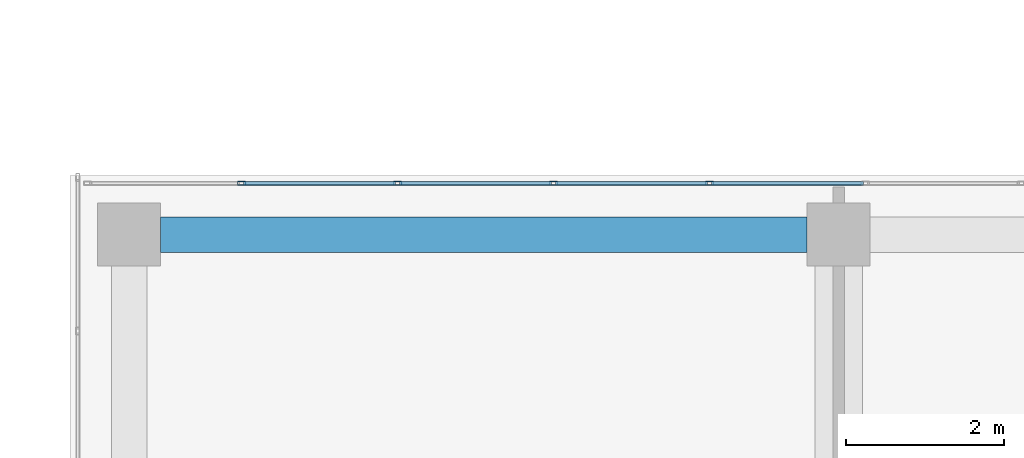
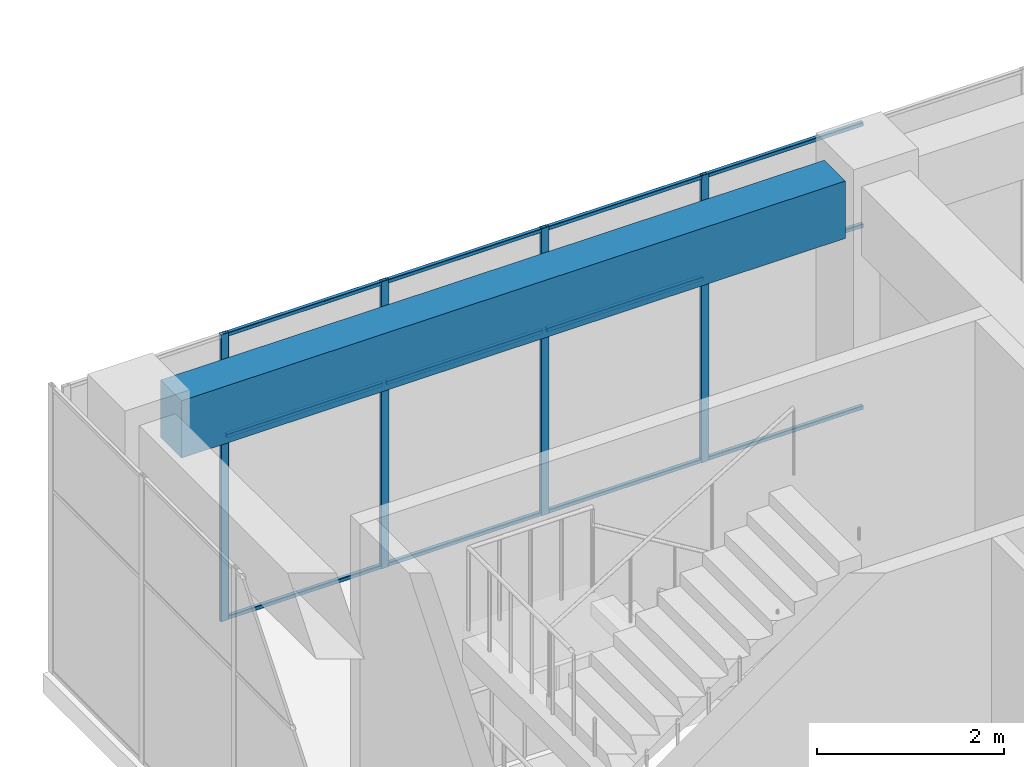
# One storey, part 32 of 55: 16 members, 1 beam, 1 element without a shape of its own.
"""IFC4 building model written with IfcOpenShell, lengths in metres."""

from ifc_helpers import new_model, si_unit, direction, frame, origin, origin_2d, place, context, subcontext, project, spatial, rectangle, hollow_rectangle, extrude, material, layer, layer_set, material_profile, profile_set, type_object, element, aggregate, save


model = new_model("IFC4")

# Units and contexts
model_context = context("Model", 3, precision=1e-05, world=origin(), true_north=direction((0.0, 1.0)))
body_context = subcontext(model_context, "Body", "Model", "MODEL_VIEW")
ifc_project = project(units=[si_unit("LENGTHUNIT", "METRE"), si_unit("AREAUNIT", "SQUARE_METRE"), si_unit("VOLUMEUNIT", "CUBIC_METRE"), si_unit("PLANEANGLEUNIT", "RADIAN"), si_unit("MASSUNIT", "GRAM", prefix="KILO")], contexts=[model_context])

# Site, building, storey
site_placement = place(None, origin())
site = spatial("IfcSite", under=ifc_project, at=site_placement, CompositionType="ELEMENT")
building_placement = place(site_placement, origin())
building = spatial("IfcBuilding", under=site, at=building_placement, Name="Tuart Plaza Theatre", CompositionType="ELEMENT")
storey_placement = place(building_placement, frame((0.0, 0.0, 21.5)))
storey = spatial("IfcBuildingStorey", under=building, at=storey_placement, Name="L05", CompositionType="ELEMENT", Elevation=21.5)

# Beam
ifc_material_1 = material(Name="Concrete N40 (40 MPa)", Category="concrete")
ifc_material_profile_1 = material_profile(ifc_material_1, rectangle(XDim=0.449951171875, YDim=0.75, at=origin_2d()), Name="BEAM 450x750 Concrete N40 (40 MPa)")
ifc_profile_set_1 = profile_set([ifc_material_profile_1], Name="Concrete N40 (40 MPa)")
beam_type = type_object("IfcBeamType", Name="BEAM 450x750 Concrete N40 (40 MPa)", PredefinedType="BEAM", material=ifc_profile_set_1)
beam_placement = place(storey_placement, frame((114.39990234375, 92.0, 3.375), z_axis=(1.0, 0.0, 0.0), x_axis=(0.0, 1.0, 0.0)))
element("IfcBeam", 1, at=beam_placement, inside=storey, type_object=beam_type, Name="RB215", PredefinedType="BEAM", context=body_context, shape_type="SweptSolid", body=[
    extrude(rectangle(XDim=0.449951171875, YDim=0.75, at=origin_2d()), origin(), (0.0, 0.0, 1.0), 8.2001953125),
])

# Curtain wall, members
ifc_material_2 = material(Name="Aluminium and glass", Category="aluminium")
ifc_layer = layer(ifc_material_2, 0.10009765625)
ifc_layer_set = layer_set([ifc_layer], Name="CURTAIN WALL 2000 module")
curtain_wall_type = type_object("IfcCurtainWallType", Name="CURTAIN WALL 2000 module", PredefinedType="NOTDEFINED", material=ifc_layer_set)
curtain_wall_placement = place(storey_placement, origin())
curtain_wall = element("IfcCurtainWall", 2, at=curtain_wall_placement, inside=storey, type_object=curtain_wall_type, Name="CW84", PredefinedType="NOTDEFINED")
ifc_material_3 = material(Name="Aluminium 6063-T5", Category="aluminium")
ifc_material_profile_2 = material_profile(ifc_material_3, hollow_rectangle(XDim=0.050048828125, YDim=0.10009765625, WallThickness=0.00390625, InnerFilletRadius=0.00390625, OuterFilletRadius=0.008056640625, at=origin_2d()), Name="RHS 100x50x4")
ifc_profile_set_2 = profile_set([ifc_material_profile_2], Name="Aluminium 6063-T5")
member_type_1 = type_object("IfcMemberType", Name="MULLION RHS 100x50x4", PredefinedType="MULLION", material=ifc_profile_set_2)
member_1_placement = place(storey_placement, frame((121.361083984375, 92.64990234375, 0.0), z_axis=(0.0, 0.0, 1.0), x_axis=(0.0, -1.0, 0.0)))
member_1 = element("IfcMember", 3, at=member_1_placement, type_object=member_type_1, Name="CW84 mullion 6", PredefinedType="MULLION", context=body_context, shape_type="SweptSolid", body=[
    extrude(hollow_rectangle(XDim=0.050048828125, YDim=0.10009765625, WallThickness=0.00390625, InnerFilletRadius=0.00390625, OuterFilletRadius=0.008056640625, at=origin_2d()), origin(), (0.0, 0.0, 1.0), 3.75),
])
member_2_placement = place(storey_placement, frame((119.38330078125, 92.64990234375, 0.0), z_axis=(0.0, 0.0, 1.0), x_axis=(0.0, -1.0, 0.0)))
member_2 = element("IfcMember", 4, at=member_2_placement, type_object=member_type_1, Name="CW84 mullion 7", PredefinedType="MULLION", context=body_context, shape_type="SweptSolid", body=[
    extrude(hollow_rectangle(XDim=0.050048828125, YDim=0.10009765625, WallThickness=0.00390625, InnerFilletRadius=0.00390625, OuterFilletRadius=0.008056640625, at=origin_2d()), origin(), (0.0, 0.0, 1.0), 3.75),
])
member_3_placement = place(storey_placement, frame((117.405517578125, 92.64990234375, 0.0), z_axis=(0.0, 0.0, 1.0), x_axis=(0.0, -1.0, 0.0)))
member_3 = element("IfcMember", 5, at=member_3_placement, type_object=member_type_1, Name="CW84 mullion 8", PredefinedType="MULLION", context=body_context, shape_type="SweptSolid", body=[
    extrude(hollow_rectangle(XDim=0.050048828125, YDim=0.10009765625, WallThickness=0.00390625, InnerFilletRadius=0.00390625, OuterFilletRadius=0.008056640625, at=origin_2d()), origin(), (0.0, 0.0, 1.0), 3.75),
])
member_4_placement = place(storey_placement, frame((115.427734375, 92.64990234375, 0.0), z_axis=(0.0, 0.0, 1.0), x_axis=(0.0, -1.0, 0.0)))
member_4 = element("IfcMember", 6, at=member_4_placement, type_object=member_type_1, Name="CW84 mullion 9", PredefinedType="MULLION", context=body_context, shape_type="SweptSolid", body=[
    extrude(hollow_rectangle(XDim=0.050048828125, YDim=0.10009765625, WallThickness=0.00390625, InnerFilletRadius=0.00390625, OuterFilletRadius=0.008056640625, at=origin_2d()), origin(), (0.0, 0.0, 1.0), 3.75),
])
ifc_material_4 = material(Name="Aluminium 6063-T5", Category="aluminium")
ifc_material_profile_3 = material_profile(ifc_material_4, hollow_rectangle(XDim=0.050048828125, YDim=0.050048828125, WallThickness=0.00390625, InnerFilletRadius=0.00390625, OuterFilletRadius=0.008056640625, at=origin_2d()), Name="RHS 50x50x4")
ifc_profile_set_3 = profile_set([ifc_material_profile_3], Name="Aluminium 6063-T5")
member_type_2 = type_object("IfcMemberType", Name="TRANSOM RHS 50x50x4", PredefinedType="USERDEFINED", material=ifc_profile_set_3)
member_5_placement = place(storey_placement, frame((123.31396484375, 92.64990234375, 0.02490234375), z_axis=(-1.0, 0.0, 0.0), x_axis=(0.0, -1.0, 0.0)))
member_5 = element("IfcMember", 7, at=member_5_placement, type_object=member_type_2, Name="CW84 transom 5.1", ObjectType="TRANSOM", PredefinedType="USERDEFINED", context=body_context, shape_type="SweptSolid", body=[
    extrude(hollow_rectangle(XDim=0.050048828125, YDim=0.050048828125, WallThickness=0.00390625, InnerFilletRadius=0.00390625, OuterFilletRadius=0.008056640625, at=origin_2d()), origin(), (0.0, 0.0, 1.0), 1.927734375),
])
member_6_placement = place(storey_placement, frame((123.31396484375, 92.64990234375, 2.39990234375), z_axis=(-1.0, 0.0, 0.0), x_axis=(0.0, -1.0, 0.0)))
member_6 = element("IfcMember", 8, at=member_6_placement, type_object=member_type_2, Name="CW84 transom 5.2", ObjectType="TRANSOM", PredefinedType="USERDEFINED", context=body_context, shape_type="SweptSolid", body=[
    extrude(hollow_rectangle(XDim=0.050048828125, YDim=0.050048828125, WallThickness=0.00390625, InnerFilletRadius=0.00390625, OuterFilletRadius=0.008056640625, at=origin_2d()), origin(), (0.0, 0.0, 1.0), 1.927734375),
])
member_7_placement = place(storey_placement, frame((123.31396484375, 92.64990234375, 3.72509765625), z_axis=(-1.0, 0.0, 0.0), x_axis=(0.0, -1.0, 0.0)))
member_7 = element("IfcMember", 9, at=member_7_placement, type_object=member_type_2, Name="CW84 transom 5.3", ObjectType="TRANSOM", PredefinedType="USERDEFINED", context=body_context, shape_type="SweptSolid", body=[
    extrude(hollow_rectangle(XDim=0.050048828125, YDim=0.050048828125, WallThickness=0.00390625, InnerFilletRadius=0.00390625, OuterFilletRadius=0.008056640625, at=origin_2d()), origin(), (0.0, 0.0, 1.0), 1.927734375),
])
member_8_placement = place(storey_placement, frame((121.336181640625, 92.64990234375, 0.02490234375), z_axis=(-1.0, 0.0, 0.0), x_axis=(0.0, -1.0, 0.0)))
member_8 = element("IfcMember", 10, at=member_8_placement, type_object=member_type_2, Name="CW84 transom 6.1", ObjectType="TRANSOM", PredefinedType="USERDEFINED", context=body_context, shape_type="SweptSolid", body=[
    extrude(hollow_rectangle(XDim=0.050048828125, YDim=0.050048828125, WallThickness=0.00390625, InnerFilletRadius=0.00390625, OuterFilletRadius=0.008056640625, at=origin_2d()), origin(), (0.0, 0.0, 1.0), 1.927734375),
])
member_9_placement = place(storey_placement, frame((121.336181640625, 92.64990234375, 2.39990234375), z_axis=(-1.0, 0.0, 0.0), x_axis=(0.0, -1.0, 0.0)))
member_9 = element("IfcMember", 11, at=member_9_placement, type_object=member_type_2, Name="CW84 transom 6.2", ObjectType="TRANSOM", PredefinedType="USERDEFINED", context=body_context, shape_type="SweptSolid", body=[
    extrude(hollow_rectangle(XDim=0.050048828125, YDim=0.050048828125, WallThickness=0.00390625, InnerFilletRadius=0.00390625, OuterFilletRadius=0.008056640625, at=origin_2d()), origin(), (0.0, 0.0, 1.0), 1.927734375),
])
member_10_placement = place(storey_placement, frame((121.336181640625, 92.64990234375, 3.72509765625), z_axis=(-1.0, 0.0, 0.0), x_axis=(0.0, -1.0, 0.0)))
member_10 = element("IfcMember", 12, at=member_10_placement, type_object=member_type_2, Name="CW84 transom 6.3", ObjectType="TRANSOM", PredefinedType="USERDEFINED", context=body_context, shape_type="SweptSolid", body=[
    extrude(hollow_rectangle(XDim=0.050048828125, YDim=0.050048828125, WallThickness=0.00390625, InnerFilletRadius=0.00390625, OuterFilletRadius=0.008056640625, at=origin_2d()), origin(), (0.0, 0.0, 1.0), 1.927734375),
])
member_11_placement = place(storey_placement, frame((119.3583984375, 92.64990234375, 0.02490234375), z_axis=(-1.0, 0.0, 0.0), x_axis=(0.0, -1.0, 0.0)))
member_11 = element("IfcMember", 13, at=member_11_placement, type_object=member_type_2, Name="CW84 transom 7.1", ObjectType="TRANSOM", PredefinedType="USERDEFINED", context=body_context, shape_type="SweptSolid", body=[
    extrude(hollow_rectangle(XDim=0.050048828125, YDim=0.050048828125, WallThickness=0.00390625, InnerFilletRadius=0.00390625, OuterFilletRadius=0.008056640625, at=origin_2d()), origin(), (0.0, 0.0, 1.0), 1.927734375),
])
member_12_placement = place(storey_placement, frame((119.3583984375, 92.64990234375, 2.39990234375), z_axis=(-1.0, 0.0, 0.0), x_axis=(0.0, -1.0, 0.0)))
member_12 = element("IfcMember", 14, at=member_12_placement, type_object=member_type_2, Name="CW84 transom 7.2", ObjectType="TRANSOM", PredefinedType="USERDEFINED", context=body_context, shape_type="SweptSolid", body=[
    extrude(hollow_rectangle(XDim=0.050048828125, YDim=0.050048828125, WallThickness=0.00390625, InnerFilletRadius=0.00390625, OuterFilletRadius=0.008056640625, at=origin_2d()), origin(), (0.0, 0.0, 1.0), 1.927734375),
])
member_13_placement = place(storey_placement, frame((119.3583984375, 92.64990234375, 3.72509765625), z_axis=(-1.0, 0.0, 0.0), x_axis=(0.0, -1.0, 0.0)))
member_13 = element("IfcMember", 15, at=member_13_placement, type_object=member_type_2, Name="CW84 transom 7.3", ObjectType="TRANSOM", PredefinedType="USERDEFINED", context=body_context, shape_type="SweptSolid", body=[
    extrude(hollow_rectangle(XDim=0.050048828125, YDim=0.050048828125, WallThickness=0.00390625, InnerFilletRadius=0.00390625, OuterFilletRadius=0.008056640625, at=origin_2d()), origin(), (0.0, 0.0, 1.0), 1.927734375),
])
member_14_placement = place(storey_placement, frame((117.380615234375, 92.64990234375, 0.02490234375), z_axis=(-1.0, 0.0, 0.0), x_axis=(0.0, -1.0, 0.0)))
member_14 = element("IfcMember", 16, at=member_14_placement, type_object=member_type_2, Name="CW84 transom 8.1", ObjectType="TRANSOM", PredefinedType="USERDEFINED", context=body_context, shape_type="SweptSolid", body=[
    extrude(hollow_rectangle(XDim=0.050048828125, YDim=0.050048828125, WallThickness=0.00390625, InnerFilletRadius=0.00390625, OuterFilletRadius=0.008056640625, at=origin_2d()), origin(), (0.0, 0.0, 1.0), 1.927734375),
])
member_15_placement = place(storey_placement, frame((117.380615234375, 92.64990234375, 2.39990234375), z_axis=(-1.0, 0.0, 0.0), x_axis=(0.0, -1.0, 0.0)))
member_15 = element("IfcMember", 17, at=member_15_placement, type_object=member_type_2, Name="CW84 transom 8.2", ObjectType="TRANSOM", PredefinedType="USERDEFINED", context=body_context, shape_type="SweptSolid", body=[
    extrude(hollow_rectangle(XDim=0.050048828125, YDim=0.050048828125, WallThickness=0.00390625, InnerFilletRadius=0.00390625, OuterFilletRadius=0.008056640625, at=origin_2d()), origin(), (0.0, 0.0, 1.0), 1.927734375),
])
member_16_placement = place(storey_placement, frame((117.380615234375, 92.64990234375, 3.72509765625), z_axis=(-1.0, 0.0, 0.0), x_axis=(0.0, -1.0, 0.0)))
member_16 = element("IfcMember", 18, at=member_16_placement, type_object=member_type_2, Name="CW84 transom 8.3", ObjectType="TRANSOM", PredefinedType="USERDEFINED", context=body_context, shape_type="SweptSolid", body=[
    extrude(hollow_rectangle(XDim=0.050048828125, YDim=0.050048828125, WallThickness=0.00390625, InnerFilletRadius=0.00390625, OuterFilletRadius=0.008056640625, at=origin_2d()), origin(), (0.0, 0.0, 1.0), 1.927734375),
])
aggregate(curtain_wall, [member_1, member_2, member_3, member_4, member_5, member_6, member_7, member_8, member_9, member_10, member_11, member_12, member_13, member_14, member_15, member_16])

save(model, "model.ifc")
